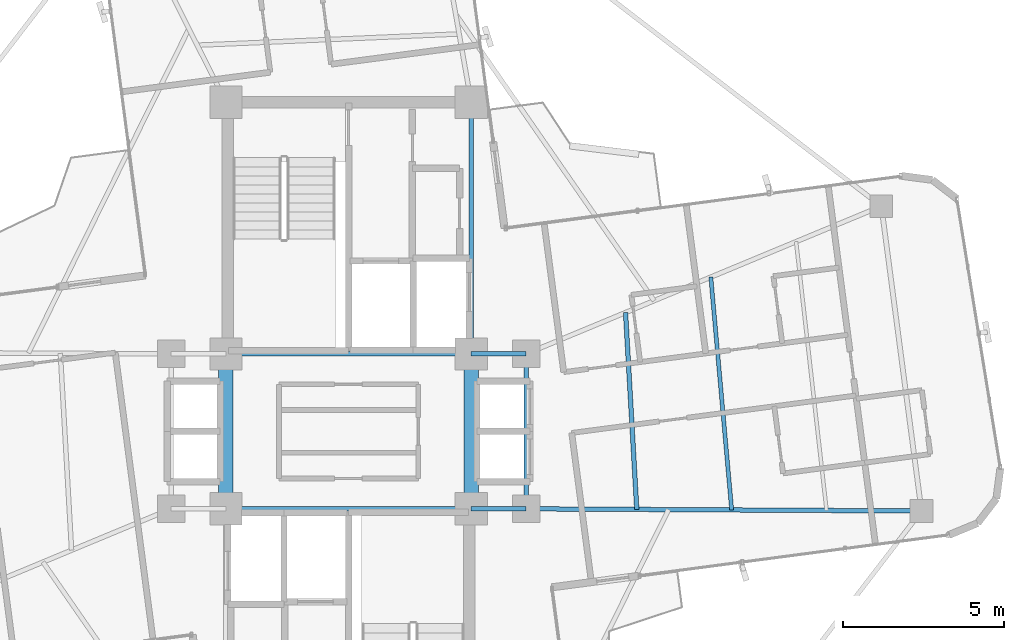
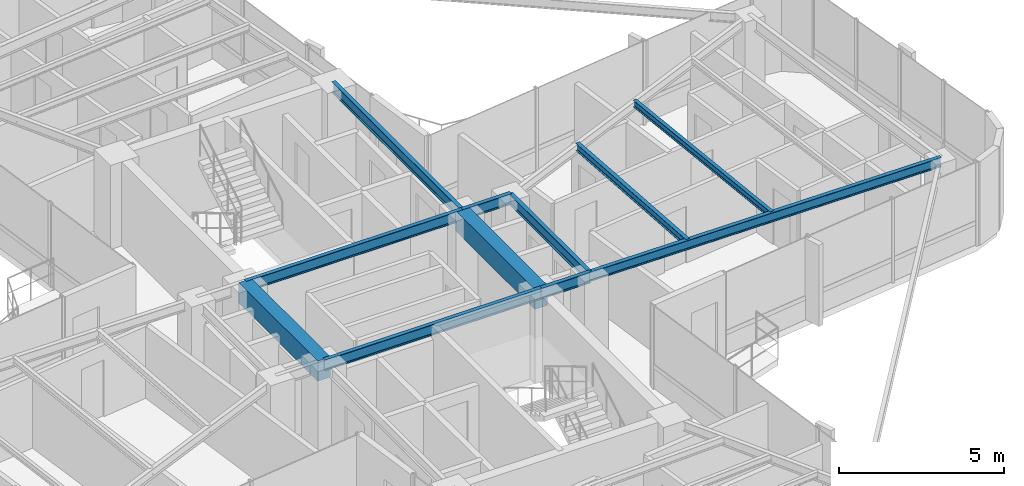
# One storey, part 10 of 22: 11 beams.
"""IFC4 building model written with IfcOpenShell, lengths in metres."""

from ifc_helpers import new_model, si_unit, direction, frame, origin, origin_2d, place, context, subcontext, project, spatial, rectangle, i_section, extrude, source, transform, mapped, material, material_profile, profile_set, type_object, element, save


model = new_model("IFC4")

# Units and contexts
model_context = context("Model", 3, precision=1e-05, world=origin(), true_north=direction((0.0, 1.0)))
body_context = subcontext(model_context, "Body", "Model", "MODEL_VIEW")
ifc_project = project(units=[si_unit("LENGTHUNIT", "METRE"), si_unit("AREAUNIT", "SQUARE_METRE"), si_unit("VOLUMEUNIT", "CUBIC_METRE"), si_unit("PLANEANGLEUNIT", "RADIAN"), si_unit("MASSUNIT", "GRAM", prefix="KILO")], contexts=[model_context])

# Site, building, storey
site_placement = place(None, origin())
site = spatial("IfcSite", under=ifc_project, at=site_placement, CompositionType="ELEMENT")
building_placement = place(site_placement, origin())
building = spatial("IfcBuilding", under=site, at=building_placement, Name="Sahyath Konkavel Grand Hotel", CompositionType="ELEMENT")
storey_placement = place(building_placement, frame((0.0, 0.0, 247.85009765625)))
storey = spatial("IfcBuildingStorey", under=building, at=storey_placement, Name="L69", CompositionType="ELEMENT", Elevation=247.85009765625)

# Beams
ifc_material_1 = material(Name="Steel E350", Category="steel")
ifc_material_profile_1 = material_profile(ifc_material_1, i_section(OverallWidth=0.139892578125, OverallDepth=0.39990234375, WebThickness=0.0087890625, FlangeThickness=0.01611328125, FilletRadius=0.013916015625, at=origin_2d()), Name="ISMB 400")
ifc_profile_set_1 = profile_set([ifc_material_profile_1], Name="Steel E350")
beam_type_1 = type_object("IfcBeamType", Name="BM-ISMB400", PredefinedType="BEAM", material=ifc_profile_set_1)
shared_shape_1 = source(origin(), body_context, "Body", "SweptSolid", [
    extrude(i_section(OverallWidth=0.139892578125, OverallDepth=0.39990234375, WebThickness=0.0087890625, FlangeThickness=0.01611328125, FilletRadius=0.013916015625, at=origin_2d()), origin(), (0.0, 0.0, 1.0), 7.60009765625),
])
for number, where, z_axis, x_axis, name in (
    (1, (-3.800048828125, 2.39990234375, 2.909912109375), (1.0, 0.0, 0.0), (0.0, 1.0, 0.0), "str:bm:L69:NC-S"),
    (2, (-3.800048828125, -2.39990234375, 2.909912109375), (1.0, 0.0, 0.0), (0.0, 1.0, 0.0), "str:bm:L69:SC-N"),
):
    element("IfcBeam", number, at=place(storey_placement, frame(where, z_axis=z_axis, x_axis=x_axis)), inside=storey, type_object=beam_type_1, Name=name, PredefinedType="BEAM", context=body_context, shape_type="MappedRepresentation", body=[
        mapped(shared_shape_1, transform((0.0, 0.0, 0.0), scale=1.0)),
    ])
shared_shape_2 = source(origin(), body_context, "Body", "SweptSolid", [
    extrude(i_section(OverallWidth=0.139892578125, OverallDepth=0.39990234375, WebThickness=0.0087890625, FlangeThickness=0.01611328125, FilletRadius=0.013916015625, at=origin_2d()), origin(), (0.0, 0.0, 1.0), 7.800048828125),
])
beam_1_placement = place(storey_placement, frame((3.800048828125, 2.39990234375, 2.909912109375), z_axis=(0.0, 1.0, 0.0), x_axis=(-1.0, 0.0, 0.0)))
element("IfcBeam", 3, at=beam_1_placement, inside=storey, type_object=beam_type_1, Name="str:bm:L69:NC-E", PredefinedType="BEAM", context=body_context, shape_type="MappedRepresentation", body=[
    mapped(shared_shape_2, transform((0.0, 0.0, 0.0), scale=1.0)),
])
shared_shape_3 = source(origin(), body_context, "Body", "SweptSolid", [
    extrude(i_section(OverallWidth=0.139892578125, OverallDepth=0.39990234375, WebThickness=0.0087890625, FlangeThickness=0.01611328125, FilletRadius=0.013916015625, at=origin_2d()), origin(), (0.0, 0.0, 1.0), 1.699951171875),
])
for number, where, z_axis, x_axis, name in (
    (4, (3.800048828125, 2.39990234375, 2.909912109375), (1.0, 0.0, 0.0), (0.0, 1.0, 0.0), "str:bm:L69:HB-NE"),
    (5, (3.800048828125, -2.39990234375, 2.909912109375), (1.0, 0.0, 0.0), (0.0, 1.0, 0.0), "str:bm:L69:HB-SE"),
):
    element("IfcBeam", number, at=place(storey_placement, frame(where, z_axis=z_axis, x_axis=x_axis)), inside=storey, type_object=beam_type_1, Name=name, PredefinedType="BEAM", context=body_context, shape_type="MappedRepresentation", body=[
        mapped(shared_shape_3, transform((0.0, 0.0, 0.0), scale=1.0)),
    ])
shared_shape_4 = source(origin(), body_context, "Body", "SweptSolid", [
    extrude(i_section(OverallWidth=0.139892578125, OverallDepth=0.39990234375, WebThickness=0.0087890625, FlangeThickness=0.01611328125, FilletRadius=0.013916015625, at=origin_2d()), origin(), (0.0, 0.0, 1.0), 4.7998046875),
])
beam_2_placement = place(storey_placement, frame((5.5, -2.39990234375, 2.909912109375), z_axis=(0.0, 1.0, 0.0), x_axis=(-1.0, 0.0, 0.0)))
element("IfcBeam", 6, at=beam_2_placement, inside=storey, type_object=beam_type_1, Name="str:bm:L69:HB-E", PredefinedType="BEAM", context=body_context, shape_type="MappedRepresentation", body=[
    mapped(shared_shape_4, transform((0.0, 0.0, 0.0), scale=1.0)),
])
ifc_material_2 = material(Name="Concrete C40/50", Category="concrete")
ifc_material_profile_2 = material_profile(ifc_material_2, rectangle(XDim=0.449951171875, YDim=0.75, at=origin_2d()), Name="RC 450x750")
ifc_profile_set_2 = profile_set([ifc_material_profile_2], Name="Concrete C40/50")
beam_type_2 = type_object("IfcBeamType", Name="BM-CB450x750", PredefinedType="LINTEL", material=ifc_profile_set_2)
shared_shape_5 = source(origin(), body_context, "Body", "SweptSolid", [
    extrude(rectangle(XDim=0.449951171875, YDim=0.75, at=origin_2d()), origin(), (0.0, 0.0, 1.0), 4.7998046875),
])
for number, where, z_axis, x_axis, name in (
    (7, (-3.800048828125, -2.39990234375, 2.73486328125), (0.0, 1.0, 0.0), (-1.0, 0.0, 0.0), "L69 Split-Core Coupling Beam West"),
    (8, (3.800048828125, -2.39990234375, 2.73486328125), (0.0, 1.0, 0.0), (-1.0, 0.0, 0.0), "L69 Split-Core Coupling Beam East"),
):
    element("IfcBeam", number, at=place(storey_placement, frame(where, z_axis=z_axis, x_axis=x_axis)), inside=storey, type_object=beam_type_2, Name=name, PredefinedType="LINTEL", context=body_context, shape_type="MappedRepresentation", body=[
        mapped(shared_shape_5, transform((0.0, 0.0, 0.0), scale=1.0)),
    ])
ifc_material_profile_3 = material_profile(ifc_material_1, i_section(OverallWidth=0.139892578125, OverallDepth=0.35009765625, WebThickness=0.008056640625, FlangeThickness=0.01416015625, FilletRadius=0.013916015625, at=origin_2d()), Name="ISMB 350")
ifc_profile_set_3 = profile_set([ifc_material_profile_3], Name="Steel E350")
beam_type_3 = type_object("IfcBeamType", Name="BM-ISMB350", PredefinedType="BEAM", material=ifc_profile_set_3)
shared_shape_6 = source(origin(), body_context, "Body", "SweptSolid", [
    extrude(i_section(OverallWidth=0.139892578125, OverallDepth=0.35009765625, WebThickness=0.008056640625, FlangeThickness=0.01416015625, FilletRadius=0.013916015625, at=origin_2d()), origin(), (0.0, 0.0, 1.0), 12.254150390625),
])
beam_3_placement = place(storey_placement, frame((5.5, -2.39990234375, 2.934814453125), z_axis=(0.999985099789, -0.005458955956, 0.0), x_axis=(0.005458955956, 0.999985099789, 0.0)))
element("IfcBeam", 9, at=beam_3_placement, inside=storey, type_object=beam_type_3, Name="L69 Cruciform Radial Girder EA", PredefinedType="BEAM", context=body_context, shape_type="MappedRepresentation", body=[
    mapped(shared_shape_6, transform((0.0, 0.0, 0.0), scale=1.0)),
])
ifc_material_profile_4 = material_profile(ifc_material_1, i_section(OverallWidth=0.139892578125, OverallDepth=0.27490234375, WebThickness=0.00634765625, FlangeThickness=0.0087890625, FilletRadius=0.012939453125, at=origin_2d()), Name="ISLB 275")
ifc_profile_set_4 = profile_set([ifc_material_profile_4], Name="Steel E350")
beam_type_4 = type_object("IfcBeamType", Name="BM-ISLB275", PredefinedType="BEAM", material=ifc_profile_set_4)
shared_shape_7 = source(origin(), body_context, "Body", "SweptSolid", [
    extrude(i_section(OverallWidth=0.139892578125, OverallDepth=0.27490234375, WebThickness=0.00634765625, FlangeThickness=0.0087890625, FilletRadius=0.012939453125, at=origin_2d()), origin(), (0.0, 0.0, 1.0), 6.110595703125),
])
beam_4_placement = place(storey_placement, frame((8.93115234375, -2.418701171875, 2.972412109375), z_axis=(-0.056974693381, 0.998375622857, 0.0), x_axis=(-0.998375622857, -0.056974693381, 0.0)))
element("IfcBeam", 10, at=beam_4_placement, inside=storey, type_object=beam_type_4, Name="L69 Secondary Floor Beam E-1", PredefinedType="BEAM", context=body_context, shape_type="MappedRepresentation", body=[
    mapped(shared_shape_7, transform((0.0, 0.0, 0.0), scale=1.0)),
])
ifc_material_profile_5 = material_profile(ifc_material_1, i_section(OverallWidth=0.125, OverallDepth=0.25, WebThickness=0.0068359375, FlangeThickness=0.012451171875, FilletRadius=0.012939453125, at=origin_2d()), Name="ISMB 250")
ifc_profile_set_5 = profile_set([ifc_material_profile_5], Name="Steel E350")
beam_type_5 = type_object("IfcBeamType", Name="BM-ISMB250", PredefinedType="BEAM", material=ifc_profile_set_5)
shared_shape_8 = source(origin(), body_context, "Body", "SweptSolid", [
    extrude(i_section(OverallWidth=0.125, OverallDepth=0.25, WebThickness=0.0068359375, FlangeThickness=0.012451171875, FilletRadius=0.012939453125, at=origin_2d()), origin(), (0.0, 0.0, 1.0), 7.244140625),
])
beam_5_placement = place(storey_placement, frame((11.8720703125, -2.434814453125, 2.98486328125), z_axis=(-0.089241205785, 0.996010043719, 0.0), x_axis=(-0.996010043719, -0.089241205785, 0.0)))
element("IfcBeam", 11, at=beam_5_placement, inside=storey, type_object=beam_type_5, Name="L69 Secondary Floor Beam E-2", PredefinedType="BEAM", context=body_context, shape_type="MappedRepresentation", body=[
    mapped(shared_shape_8, transform((0.0, 0.0, 0.0), scale=1.0)),
])

save(model, "model.ifc")
